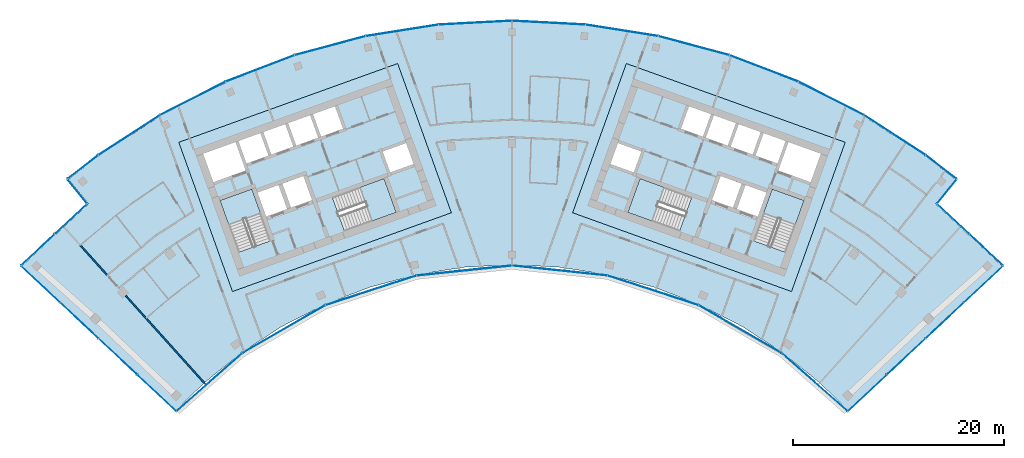
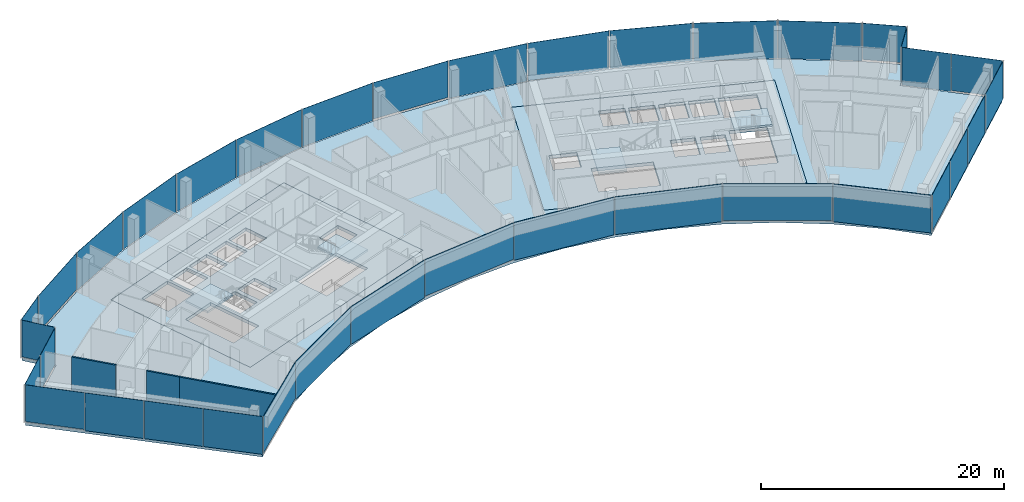
# One storey, part 11 of 18: 36 plates, 7 slabs, 3 walls, 12 elements without a shape of their own.
"""IFC4 building model written with IfcOpenShell, lengths in metres."""

from ifc_helpers import new_model, si_unit, direction, frame, frame_2d, origin, origin_2d, place, context, subcontext, project, spatial, polyline, rectangle, outline, extrude, material, layer, layer_set, type_object, element, aggregate, save


model = new_model("IFC4")

# Units and contexts
model_context = context("Model", 3, precision=1e-05, world=origin(), true_north=direction((0.0, 1.0)))
body_context = subcontext(model_context, "Body", "Model", "MODEL_VIEW")
ifc_project = project(units=[si_unit("LENGTHUNIT", "METRE"), si_unit("AREAUNIT", "SQUARE_METRE"), si_unit("VOLUMEUNIT", "CUBIC_METRE"), si_unit("PLANEANGLEUNIT", "RADIAN"), si_unit("MASSUNIT", "GRAM", prefix="KILO")], contexts=[model_context])

# Site, building, storey
site_placement = place(None, origin())
site = spatial("IfcSite", under=ifc_project, at=site_placement, CompositionType="ELEMENT")
building_placement = place(site_placement, origin())
building = spatial("IfcBuilding", under=site, at=building_placement, Name="Stone Belt Terrace Tower", CompositionType="ELEMENT")
storey_placement = place(building_placement, frame((0.0, 0.0, 277.0)))
storey = spatial("IfcBuildingStorey", under=building, at=storey_placement, Name="L67", CompositionType="ELEMENT", Elevation=277.0)

# Curtain wall, plates
ifc_material_1 = material(Name="Aluminium 6063-T6 anodised frame", Category="aluminium")
ifc_layer_1 = layer(ifc_material_1, 0.14990234375)
ifc_layer_set_1 = layer_set([ifc_layer_1], Name="CW-A unitised convex-face curtain wall")
curtain_wall_type_1 = type_object("IfcCurtainWallType", Name="CW-A unitised convex-face curtain wall", PredefinedType="NOTDEFINED", material=ifc_layer_set_1)
curtain_wall_1_placement = place(storey_placement, origin())
curtain_wall_1 = element("IfcCurtainWall", 1, at=curtain_wall_1_placement, inside=storey, type_object=curtain_wall_type_1, Name="CW-A convex face L67", PredefinedType="NOTDEFINED")
ifc_material_2 = material(Name="Clear double glazed unit")
ifc_layer_2 = layer(ifc_material_2, 0.031982421875)
ifc_layer_set_2 = layer_set([ifc_layer_2], Name="CW-A glass panel 32")
plate_type_1 = type_object("IfcPlateType", Name="CW-A glass panel 32", PredefinedType="CURTAIN_PANEL", material=ifc_layer_set_2)
plate_1_placement = place(storey_placement, frame((40.583251953125, 52.744140625, 0.14013671875), z_axis=(0.0, 0.0, 1.0), x_axis=(-0.792693871824, 0.60961990254, 0.0)))
plate_1 = element("IfcPlate", 2, at=plate_1_placement, type_object=plate_type_1, Name="CW-A panel 1.1", PredefinedType="CURTAIN_PANEL", context=body_context, shape_type="SweptSolid", body=[
    extrude(rectangle(XDim=3.597900390625, YDim=0.031982421875, at=origin_2d()), origin(), (0.0, 0.0, 1.0), 3.659912109375),
])
plate_2_placement = place(storey_placement, frame((36.209716796875, 55.758056640625, 0.0), z_axis=(0.0, 0.0, 1.0), x_axis=(-0.838670567945, 0.544639035015, 0.0)))
plate_2 = element("IfcPlate", 3, at=plate_2_placement, type_object=plate_type_1, Name="CW-A panel 2.1", PredefinedType="CURTAIN_PANEL", context=body_context, shape_type="SweptSolid", body=[
    extrude(rectangle(XDim=6.900634765625, YDim=0.031982421875, at=origin_2d()), origin(), (0.0, 0.0, 1.0), 3.800048828125),
])
plate_3_placement = place(storey_placement, frame((30.18310546875, 59.237548828125, 0.0), z_axis=(0.0, 0.0, 1.0), x_axis=(-0.891006524188, 0.45399049974, 0.0)))
plate_3 = element("IfcPlate", 4, at=plate_3_placement, type_object=plate_type_1, Name="CW-A panel 3.1", PredefinedType="CURTAIN_PANEL", context=body_context, shape_type="SweptSolid", body=[
    extrude(rectangle(XDim=6.90087890625, YDim=0.031982421875, at=origin_2d()), origin(), (0.0, 0.0, 1.0), 3.800048828125),
])
plate_4_placement = place(storey_placement, frame((23.82568359375, 62.068115234375, 0.0), z_axis=(0.0, 0.0, 1.0), x_axis=(-0.933580426497, 0.358367949545, 0.0)))
plate_4 = element("IfcPlate", 5, at=plate_4_placement, type_object=plate_type_1, Name="CW-A panel 4.1", PredefinedType="CURTAIN_PANEL", context=body_context, shape_type="SweptSolid", body=[
    extrude(rectangle(XDim=6.90087890625, YDim=0.031982421875, at=origin_2d()), origin(), (0.0, 0.0, 1.0), 3.800048828125),
])
plate_5_placement = place(storey_placement, frame((17.207275390625, 64.218505859375, 0.0), z_axis=(0.0, 0.0, 1.0), x_axis=(-0.965925826289, 0.258819045103, 0.0)))
plate_5 = element("IfcPlate", 6, at=plate_5_placement, type_object=plate_type_1, Name="CW-A panel 5.1", PredefinedType="CURTAIN_PANEL", context=body_context, shape_type="SweptSolid", body=[
    extrude(rectangle(XDim=6.90087890625, YDim=0.031982421875, at=origin_2d()), origin(), (0.0, 0.0, 1.0), 3.800048828125),
])
plate_6_placement = place(storey_placement, frame((10.400390625, 65.665283203125, 0.0), z_axis=(0.0, 0.0, 1.0), x_axis=(-0.987688340595, 0.15643446504, 0.0)))
plate_6 = element("IfcPlate", 7, at=plate_6_placement, type_object=plate_type_1, Name="CW-A panel 6.1", PredefinedType="CURTAIN_PANEL", context=body_context, shape_type="SweptSolid", body=[
    extrude(rectangle(XDim=6.90087890625, YDim=0.031982421875, at=origin_2d()), origin(), (0.0, 0.0, 1.0), 3.800048828125),
])
plate_7_placement = place(storey_placement, frame((3.4794921875, 66.392822265625, 0.14013671875), z_axis=(0.0, 0.0, 1.0), x_axis=(-0.998629534755, 0.052335956243, 0.0)))
plate_7 = element("IfcPlate", 8, at=plate_7_placement, type_object=plate_type_1, Name="CW-A panel 7.1", PredefinedType="CURTAIN_PANEL", context=body_context, shape_type="SweptSolid", body=[
    extrude(rectangle(XDim=6.90087890625, YDim=0.031982421875, at=origin_2d()), origin(), (0.0, 0.0, 1.0), 3.659912109375),
])
plate_8_placement = place(storey_placement, frame((-3.4794921875, 66.392822265625, 0.0), z_axis=(0.0, 0.0, 1.0), x_axis=(-0.998629534755, -0.052335956243, 0.0)))
plate_8 = element("IfcPlate", 9, at=plate_8_placement, type_object=plate_type_1, Name="CW-A panel 8.1", PredefinedType="CURTAIN_PANEL", context=body_context, shape_type="SweptSolid", body=[
    extrude(rectangle(XDim=6.90087890625, YDim=0.031982421875, at=origin_2d()), origin(), (0.0, 0.0, 1.0), 3.800048828125),
])
plate_9_placement = place(storey_placement, frame((-10.400390625, 65.665283203125, 0.0), z_axis=(0.0, 0.0, 1.0), x_axis=(-0.987688340595, -0.15643446504, 0.0)))
plate_9 = element("IfcPlate", 10, at=plate_9_placement, type_object=plate_type_1, Name="CW-A panel 9.1", PredefinedType="CURTAIN_PANEL", context=body_context, shape_type="SweptSolid", body=[
    extrude(rectangle(XDim=6.90087890625, YDim=0.031982421875, at=origin_2d()), origin(), (0.0, 0.0, 1.0), 3.800048828125),
])
plate_10_placement = place(storey_placement, frame((-17.207275390625, 64.218505859375, 0.0), z_axis=(0.0, 0.0, 1.0), x_axis=(-0.965925826289, -0.258819045103, 0.0)))
plate_10 = element("IfcPlate", 11, at=plate_10_placement, type_object=plate_type_1, Name="CW-A panel 10.1", PredefinedType="CURTAIN_PANEL", context=body_context, shape_type="SweptSolid", body=[
    extrude(rectangle(XDim=6.90087890625, YDim=0.031982421875, at=origin_2d()), origin(), (0.0, 0.0, 1.0), 3.800048828125),
])
plate_11_placement = place(storey_placement, frame((-23.82568359375, 62.068115234375, 0.0), z_axis=(0.0, 0.0, 1.0), x_axis=(-0.933580426497, -0.358367949545, 0.0)))
plate_11 = element("IfcPlate", 12, at=plate_11_placement, type_object=plate_type_1, Name="CW-A panel 11.1", PredefinedType="CURTAIN_PANEL", context=body_context, shape_type="SweptSolid", body=[
    extrude(rectangle(XDim=6.90087890625, YDim=0.031982421875, at=origin_2d()), origin(), (0.0, 0.0, 1.0), 3.800048828125),
])
plate_12_placement = place(storey_placement, frame((-30.18310546875, 59.237548828125, 0.0), z_axis=(0.0, 0.0, 1.0), x_axis=(-0.891006524188, -0.45399049974, 0.0)))
plate_12 = element("IfcPlate", 13, at=plate_12_placement, type_object=plate_type_1, Name="CW-A panel 12.1", PredefinedType="CURTAIN_PANEL", context=body_context, shape_type="SweptSolid", body=[
    extrude(rectangle(XDim=6.90087890625, YDim=0.031982421875, at=origin_2d()), origin(), (0.0, 0.0, 1.0), 3.800048828125),
])
plate_13_placement = place(storey_placement, frame((-36.209716796875, 55.758056640625, 0.14013671875), z_axis=(0.0, 0.0, 1.0), x_axis=(-0.838670567945, -0.544639035015, 0.0)))
plate_13 = element("IfcPlate", 14, at=plate_13_placement, type_object=plate_type_1, Name="CW-A panel 13.1", PredefinedType="CURTAIN_PANEL", context=body_context, shape_type="SweptSolid", body=[
    extrude(rectangle(XDim=6.900634765625, YDim=0.031982421875, at=origin_2d()), origin(), (0.0, 0.0, 1.0), 3.659912109375),
])
plate_14_placement = place(storey_placement, frame((-40.583251953125, 52.744140625, 0.0), z_axis=(0.0, 0.0, 1.0), x_axis=(-0.792693871824, -0.60961990254, 0.0)))
plate_14 = element("IfcPlate", 15, at=plate_14_placement, type_object=plate_type_1, Name="CW-A panel 14.1", PredefinedType="CURTAIN_PANEL", context=body_context, shape_type="SweptSolid", body=[
    extrude(rectangle(XDim=3.597900390625, YDim=0.031982421875, at=origin_2d()), origin(), (0.0, 0.0, 1.0), 3.800048828125),
])
aggregate(curtain_wall_1, [plate_1, plate_2, plate_3, plate_4, plate_5, plate_6, plate_7, plate_8, plate_9, plate_10, plate_11, plate_12, plate_13, plate_14])

ifc_layer_3 = layer(ifc_material_1, 0.14990234375)
ifc_layer_set_3 = layer_set([ifc_layer_3], Name="CW-B unitised concave-face curtain wall")
curtain_wall_type_2 = type_object("IfcCurtainWallType", Name="CW-B unitised concave-face curtain wall", PredefinedType="NOTDEFINED", material=ifc_layer_set_3)
curtain_wall_2_placement = place(storey_placement, origin())
curtain_wall_2 = element("IfcCurtainWall", 16, at=curtain_wall_2_placement, inside=storey, type_object=curtain_wall_type_2, Name="CW-B concave face L67", PredefinedType="NOTDEFINED")
ifc_layer_4 = layer(ifc_material_2, 0.030029296875)
ifc_layer_set_4 = layer_set([ifc_layer_4], Name="CW-B glass panel 30")
plate_type_2 = type_object("IfcPlateType", Name="CW-B glass panel 30", PredefinedType="CURTAIN_PANEL", material=ifc_layer_set_4)
plate_15_placement = place(storey_placement, frame((-28.624755859375, 32.39404296875, 0.1201171875), z_axis=(0.0, 0.0, 1.0), x_axis=(0.749658646805, 0.661824684694, 0.0)))
plate_15 = element("IfcPlate", 17, at=plate_15_placement, type_object=plate_type_2, Name="CW-B panel 1.1", PredefinedType="CURTAIN_PANEL", context=body_context, shape_type="SweptSolid", body=[
    extrude(rectangle(XDim=8.2060546875, YDim=0.030029296875, at=origin_2d()), origin(), (0.0, 0.0, 1.0), 3.679931640625),
])
plate_16_placement = place(storey_placement, frame((-21.59375, 37.400634765625, 0.0), z_axis=(0.0, 0.0, 1.0), x_axis=(0.866025403784, 0.5, 0.0)))
plate_16 = element("IfcPlate", 18, at=plate_16_placement, type_object=plate_type_2, Name="CW-B panel 2.1", PredefinedType="CURTAIN_PANEL", context=body_context, shape_type="SweptSolid", body=[
    extrude(rectangle(XDim=9.013427734375, YDim=0.030029296875, at=origin_2d()), origin(), (0.0, 0.0, 1.0), 3.800048828125),
])
plate_17_placement = place(storey_placement, frame((-13.345458984375, 41.072998046875, 0.0), z_axis=(0.0, 0.0, 1.0), x_axis=(0.951056516295, 0.309016994375, 0.0)))
plate_17 = element("IfcPlate", 19, at=plate_17_placement, type_object=plate_type_2, Name="CW-B panel 3.1", PredefinedType="CURTAIN_PANEL", context=body_context, shape_type="SweptSolid", body=[
    extrude(rectangle(XDim=9.0126953125, YDim=0.030029296875, at=origin_2d()), origin(), (0.0, 0.0, 1.0), 3.800048828125),
])
plate_18_placement = place(storey_placement, frame((-4.51416015625, 42.9501953125, 0.1201171875), z_axis=(0.0, 0.0, 1.0), x_axis=(0.994521895368, 0.104528463268, 0.0)))
plate_18 = element("IfcPlate", 20, at=plate_18_placement, type_object=plate_type_2, Name="CW-B panel 4.1", PredefinedType="CURTAIN_PANEL", context=body_context, shape_type="SweptSolid", body=[
    extrude(rectangle(XDim=9.0126953125, YDim=0.030029296875, at=origin_2d()), origin(), (0.0, 0.0, 1.0), 3.679931640625),
])
plate_19_placement = place(storey_placement, frame((4.51416015625, 42.9501953125, 0.0), z_axis=(0.0, 0.0, 1.0), x_axis=(0.994521895368, -0.104528463268, 0.0)))
plate_19 = element("IfcPlate", 21, at=plate_19_placement, type_object=plate_type_2, Name="CW-B panel 5.1", PredefinedType="CURTAIN_PANEL", context=body_context, shape_type="SweptSolid", body=[
    extrude(rectangle(XDim=9.0126953125, YDim=0.030029296875, at=origin_2d()), origin(), (0.0, 0.0, 1.0), 3.800048828125),
])
plate_20_placement = place(storey_placement, frame((13.345458984375, 41.072998046875, 0.0), z_axis=(0.0, 0.0, 1.0), x_axis=(0.951056516295, -0.309016994375, 0.0)))
plate_20 = element("IfcPlate", 22, at=plate_20_placement, type_object=plate_type_2, Name="CW-B panel 6.1", PredefinedType="CURTAIN_PANEL", context=body_context, shape_type="SweptSolid", body=[
    extrude(rectangle(XDim=9.0126953125, YDim=0.030029296875, at=origin_2d()), origin(), (0.0, 0.0, 1.0), 3.800048828125),
])
plate_21_placement = place(storey_placement, frame((21.59375, 37.400634765625, 0.1201171875), z_axis=(0.0, 0.0, 1.0), x_axis=(0.866025403784, -0.5, 0.0)))
plate_21 = element("IfcPlate", 23, at=plate_21_placement, type_object=plate_type_2, Name="CW-B panel 7.1", PredefinedType="CURTAIN_PANEL", context=body_context, shape_type="SweptSolid", body=[
    extrude(rectangle(XDim=9.013427734375, YDim=0.030029296875, at=origin_2d()), origin(), (0.0, 0.0, 1.0), 3.679931640625),
])
plate_22_placement = place(storey_placement, frame((28.624755859375, 32.39404296875, 0.0), z_axis=(0.0, 0.0, 1.0), x_axis=(0.749658646805, -0.661824684694, 0.0)))
plate_22 = element("IfcPlate", 24, at=plate_22_placement, type_object=plate_type_2, Name="CW-B panel 8.1", PredefinedType="CURTAIN_PANEL", context=body_context, shape_type="SweptSolid", body=[
    extrude(rectangle(XDim=8.2060546875, YDim=0.030029296875, at=origin_2d()), origin(), (0.0, 0.0, 1.0), 3.800048828125),
])
aggregate(curtain_wall_2, [plate_15, plate_16, plate_17, plate_18, plate_19, plate_20, plate_21, plate_22])

ifc_layer_5 = layer(ifc_material_1, 0.14990234375)
ifc_layer_set_5 = layer_set([ifc_layer_5], Name="CW-C stick curtain wall, horn ends and notches")
curtain_wall_type_3 = type_object("IfcCurtainWallType", Name="CW-C stick curtain wall, horn ends and notches", PredefinedType="NOTDEFINED", material=ifc_layer_set_5)
curtain_wall_3_placement = place(storey_placement, origin())
curtain_wall_3 = element("IfcCurtainWall", 25, at=curtain_wall_3_placement, inside=storey, type_object=curtain_wall_type_3, Name="CW-C end face L67", PredefinedType="NOTDEFINED")
ifc_layer_6 = layer(ifc_material_2, 0.028076171875)
ifc_layer_set_6 = layer_set([ifc_layer_6], Name="CW-C glass panel 28")
plate_type_3 = type_object("IfcPlateType", Name="CW-C glass panel 28", PredefinedType="CURTAIN_PANEL", material=ifc_layer_set_6)
plate_23_placement = place(storey_placement, frame((33.617431640625, 31.3798828125, 0.1201171875), z_axis=(0.0, 0.0, 1.0), x_axis=(0.729904219708, 0.683549434973, 0.0)))
plate_23 = element("IfcPlate", 26, at=plate_23_placement, type_object=plate_type_3, Name="CW-C panel 1.1", PredefinedType="CURTAIN_PANEL", context=body_context, shape_type="SweptSolid", body=[
    extrude(rectangle(XDim=4.965576171875, YDim=0.028076171875, at=origin_2d()), origin(), (0.0, 0.0, 1.0), 3.679931640625),
])
plate_24_placement = place(storey_placement, frame((37.2763671875, 34.806396484375, 0.0), z_axis=(0.0, 0.0, 1.0), x_axis=(0.729904219708, 0.683549434973, 0.0)))
plate_24 = element("IfcPlate", 27, at=plate_24_placement, type_object=plate_type_3, Name="CW-C panel 2.1", PredefinedType="CURTAIN_PANEL", context=body_context, shape_type="SweptSolid", body=[
    extrude(rectangle(XDim=4.93994140625, YDim=0.028076171875, at=origin_2d()), origin(), (0.0, 0.0, 1.0), 3.800048828125),
])
plate_25_placement = place(storey_placement, frame((40.92578125, 38.22412109375, 0.0), z_axis=(0.0, 0.0, 1.0), x_axis=(0.729904219708, 0.683549434973, 0.0)))
plate_25 = element("IfcPlate", 28, at=plate_25_placement, type_object=plate_type_3, Name="CW-C panel 3.1", PredefinedType="CURTAIN_PANEL", context=body_context, shape_type="SweptSolid", body=[
    extrude(rectangle(XDim=4.93994140625, YDim=0.028076171875, at=origin_2d()), origin(), (0.0, 0.0, 1.0), 3.800048828125),
])
plate_26_placement = place(storey_placement, frame((44.588134765625, 41.65380859375, 0.0), z_axis=(0.0, 0.0, 1.0), x_axis=(0.729904219708, 0.683549434973, 0.0)))
plate_26 = element("IfcPlate", 29, at=plate_26_placement, type_object=plate_type_3, Name="CW-C panel 4.1", PredefinedType="CURTAIN_PANEL", context=body_context, shape_type="SweptSolid", body=[
    extrude(rectangle(XDim=4.974853515625, YDim=0.028076171875, at=origin_2d()), origin(), (0.0, 0.0, 1.0), 3.800048828125),
])
aggregate(curtain_wall_3, [plate_23, plate_24, plate_25, plate_26])

curtain_wall_4_placement = place(storey_placement, origin())
curtain_wall_4 = element("IfcCurtainWall", 30, at=curtain_wall_4_placement, inside=storey, type_object=curtain_wall_type_3, Name="CW-C notch face L67", PredefinedType="NOTDEFINED")
plate_27_placement = place(storey_placement, frame((44.8427734375, 44.91259765625, 0.1201171875), z_axis=(0.0, 0.0, 1.0), x_axis=(-0.731339333871, 0.682013767261, 0.0)))
plate_27 = element("IfcPlate", 31, at=plate_27_placement, type_object=plate_type_3, Name="CW-C panel 1.1", PredefinedType="CURTAIN_PANEL", context=body_context, shape_type="SweptSolid", body=[
    extrude(rectangle(XDim=4.268798828125, YDim=0.028076171875, at=origin_2d()), origin(), (0.0, 0.0, 1.0), 3.679931640625),
])
plate_28_placement = place(storey_placement, frame((41.731201171875, 47.814208984375, 0.0), z_axis=(0.0, 0.0, 1.0), x_axis=(-0.731339333871, 0.682013767261, 0.0)))
plate_28 = element("IfcPlate", 32, at=plate_28_placement, type_object=plate_type_3, Name="CW-C panel 2.1", PredefinedType="CURTAIN_PANEL", context=body_context, shape_type="SweptSolid", body=[
    extrude(rectangle(XDim=4.12060546875, YDim=0.028076171875, at=origin_2d()), origin(), (0.0, 0.0, 1.0), 3.800048828125),
])
aggregate(curtain_wall_4, [plate_27, plate_28])

# Curtain wall, plate
curtain_wall_5_placement = place(storey_placement, origin())
curtain_wall_5 = element("IfcCurtainWall", 33, at=curtain_wall_5_placement, inside=storey, type_object=curtain_wall_type_3, Name="CW-C notch face L67", PredefinedType="NOTDEFINED")
plate_29_placement = place(storey_placement, frame((41.119140625, 50.43505859375, 0.1201171875), z_axis=(0.0, 0.0, 1.0), x_axis=(0.631001485542, 0.775781622136, 0.0)))
plate_29 = element("IfcPlate", 34, at=plate_29_placement, type_object=plate_type_3, Name="CW-C panel 1.1", PredefinedType="CURTAIN_PANEL", context=body_context, shape_type="SweptSolid", body=[
    extrude(rectangle(XDim=2.859130859375, YDim=0.028076171875, at=origin_2d()), origin(), (0.0, 0.0, 1.0), 3.679931640625),
])
aggregate(curtain_wall_5, [plate_29])

curtain_wall_6_placement = place(storey_placement, origin())
curtain_wall_6 = element("IfcCurtainWall", 35, at=curtain_wall_6_placement, inside=storey, type_object=curtain_wall_type_3, Name="CW-C notch face L67", PredefinedType="NOTDEFINED")
plate_30_placement = place(storey_placement, frame((-41.119140625, 50.43505859375, 0.1201171875), z_axis=(0.0, 0.0, 1.0), x_axis=(0.631001485542, -0.775781622136, 0.0)))
plate_30 = element("IfcPlate", 36, at=plate_30_placement, type_object=plate_type_3, Name="CW-C panel 1.1", PredefinedType="CURTAIN_PANEL", context=body_context, shape_type="SweptSolid", body=[
    extrude(rectangle(XDim=2.859130859375, YDim=0.028076171875, at=origin_2d()), origin(), (0.0, 0.0, 1.0), 3.679931640625),
])
aggregate(curtain_wall_6, [plate_30])

# Curtain wall, plates
curtain_wall_7_placement = place(storey_placement, origin())
curtain_wall_7 = element("IfcCurtainWall", 37, at=curtain_wall_7_placement, inside=storey, type_object=curtain_wall_type_3, Name="CW-C notch face L67", PredefinedType="NOTDEFINED")
plate_31_placement = place(storey_placement, frame((-41.731201171875, 47.814208984375, 0.1201171875), z_axis=(0.0, 0.0, 1.0), x_axis=(-0.731339333871, -0.682013767261, 0.0)))
plate_31 = element("IfcPlate", 38, at=plate_31_placement, type_object=plate_type_3, Name="CW-C panel 1.1", PredefinedType="CURTAIN_PANEL", context=body_context, shape_type="SweptSolid", body=[
    extrude(rectangle(XDim=4.12060546875, YDim=0.028076171875, at=origin_2d()), origin(), (0.0, 0.0, 1.0), 3.679931640625),
])
plate_32_placement = place(storey_placement, frame((-44.8427734375, 44.91259765625, 0.0), z_axis=(0.0, 0.0, 1.0), x_axis=(-0.731339333871, -0.682013767261, 0.0)))
plate_32 = element("IfcPlate", 39, at=plate_32_placement, type_object=plate_type_3, Name="CW-C panel 2.1", PredefinedType="CURTAIN_PANEL", context=body_context, shape_type="SweptSolid", body=[
    extrude(rectangle(XDim=4.268798828125, YDim=0.028076171875, at=origin_2d()), origin(), (0.0, 0.0, 1.0), 3.800048828125),
])
aggregate(curtain_wall_7, [plate_31, plate_32])

curtain_wall_8_placement = place(storey_placement, origin())
curtain_wall_8 = element("IfcCurtainWall", 40, at=curtain_wall_8_placement, inside=storey, type_object=curtain_wall_type_3, Name="CW-C end face L67", PredefinedType="NOTDEFINED")
plate_33_placement = place(storey_placement, frame((-44.588134765625, 41.65380859375, 0.1201171875), z_axis=(0.0, 0.0, 1.0), x_axis=(0.729904219708, -0.683549434973, 0.0)))
plate_33 = element("IfcPlate", 41, at=plate_33_placement, type_object=plate_type_3, Name="CW-C panel 1.1", PredefinedType="CURTAIN_PANEL", context=body_context, shape_type="SweptSolid", body=[
    extrude(rectangle(XDim=4.974853515625, YDim=0.028076171875, at=origin_2d()), origin(), (0.0, 0.0, 1.0), 3.679931640625),
])
plate_34_placement = place(storey_placement, frame((-40.92578125, 38.22412109375, 0.0), z_axis=(0.0, 0.0, 1.0), x_axis=(0.729904219708, -0.683549434973, 0.0)))
plate_34 = element("IfcPlate", 42, at=plate_34_placement, type_object=plate_type_3, Name="CW-C panel 2.1", PredefinedType="CURTAIN_PANEL", context=body_context, shape_type="SweptSolid", body=[
    extrude(rectangle(XDim=4.93994140625, YDim=0.028076171875, at=origin_2d()), origin(), (0.0, 0.0, 1.0), 3.800048828125),
])
plate_35_placement = place(storey_placement, frame((-37.2763671875, 34.806396484375, 0.0), z_axis=(0.0, 0.0, 1.0), x_axis=(0.729904219708, -0.683549434973, 0.0)))
plate_35 = element("IfcPlate", 43, at=plate_35_placement, type_object=plate_type_3, Name="CW-C panel 3.1", PredefinedType="CURTAIN_PANEL", context=body_context, shape_type="SweptSolid", body=[
    extrude(rectangle(XDim=4.93994140625, YDim=0.028076171875, at=origin_2d()), origin(), (0.0, 0.0, 1.0), 3.800048828125),
])
plate_36_placement = place(storey_placement, frame((-33.617431640625, 31.3798828125, 0.0), z_axis=(0.0, 0.0, 1.0), x_axis=(0.729904219708, -0.683549434973, 0.0)))
plate_36 = element("IfcPlate", 44, at=plate_36_placement, type_object=plate_type_3, Name="CW-C panel 4.1", PredefinedType="CURTAIN_PANEL", context=body_context, shape_type="SweptSolid", body=[
    extrude(rectangle(XDim=4.965576171875, YDim=0.028076171875, at=origin_2d()), origin(), (0.0, 0.0, 1.0), 3.800048828125),
])
aggregate(curtain_wall_8, [plate_33, plate_34, plate_35, plate_36])

# Slabs
ifc_material_3 = material(Name="Concrete B40", Category="concrete")
ifc_layer_7 = layer(ifc_material_3, 0.320068359375)
ifc_layer_set_7 = layer_set([ifc_layer_7], Name="Core floor slab 320")
slab_type_1 = type_object("IfcSlabType", Name="Core floor slab 320", PredefinedType="FLOOR", material=ifc_layer_set_7)
slab_1_placement = place(storey_placement, frame((0.0, 0.0, -0.320068359375)))
element("IfcSlab", 45, at=slab_1_placement, inside=storey, type_object=slab_type_1, Name="Core A floor L67", PredefinedType="FLOOR", context=body_context, shape_type="SweptSolid", body=[
    extrude(outline(polyline([(-26.43505859375, 40.968994140625), (-5.735107421875, 48.4189453125), (-10.81396484375, 62.531982421875), (-31.513916015625, 55.0830078125), (-26.43505859375, 40.968994140625)]), holes=[polyline([(-24.60791015625, 50.659912109375), (-22.847900390625, 45.76806640625), (-25.85888671875, 44.68408203125), (-27.618896484375, 49.575927734375), (-24.60791015625, 50.659912109375)]), polyline([(-10.955078125, 48.452880859375), (-15.846923828125, 46.69189453125), (-16.998046875, 49.89208984375), (-12.10595703125, 51.652099609375), (-10.955078125, 48.452880859375)]), polyline([(-22.0869140625, 51.035888671875), (-21.27392578125, 48.778076171875), (-23.25, 48.06689453125), (-24.06298828125, 50.324951171875), (-22.0869140625, 51.035888671875)]), polyline([(-18.922119140625, 49.6240234375), (-20.89794921875, 48.9130859375), (-21.7109375, 51.1708984375), (-19.735107421875, 51.883056640625), (-18.922119140625, 49.6240234375)]), polyline([(-29.2109375, 53.9990234375), (-26.153076171875, 55.09912109375), (-25.18798828125, 52.41796875), (-28.24609375, 51.31689453125), (-29.2109375, 53.9990234375)]), polyline([(-10.01904296875, 55.007080078125), (-9.30810546875, 53.031005859375), (-11.51904296875, 52.235107421875), (-12.22998046875, 54.2109375), (-10.01904296875, 55.007080078125)]), polyline([(-25.87109375, 55.200927734375), (-23.801025390625, 55.946044921875), (-23.0390625, 53.8291015625), (-25.10888671875, 53.083984375), (-25.87109375, 55.200927734375)]), polyline([(-23.51806640625, 56.047119140625), (-21.447998046875, 56.7919921875), (-20.68603515625, 54.675048828125), (-22.756103515625, 53.929931640625), (-23.51806640625, 56.047119140625)]), polyline([(-19.095947265625, 57.638916015625), (-18.333984375, 55.52197265625), (-20.404052734375, 54.777099609375), (-21.166015625, 56.89404296875), (-19.095947265625, 57.638916015625)]), polyline([(-16.743896484375, 58.485107421875), (-15.98193359375, 56.367919921875), (-18.052001953125, 55.623046875), (-18.81396484375, 57.739990234375), (-16.743896484375, 58.485107421875)])]), origin(), (0.0, 0.0, 1.0), 0.320068359375),
])
slab_2_placement = place(storey_placement, frame((0.0, 0.0, -0.320068359375)))
element("IfcSlab", 46, at=slab_2_placement, inside=storey, type_object=slab_type_1, Name="Core B floor L67", PredefinedType="FLOOR", context=body_context, shape_type="SweptSolid", body=[
    extrude(outline(polyline([(26.43505859375, 40.968994140625), (31.513916015625, 55.0830078125), (10.81396484375, 62.531982421875), (5.735107421875, 48.4189453125), (26.43505859375, 40.968994140625)]), holes=[polyline([(27.618896484375, 49.575927734375), (25.85888671875, 44.68408203125), (22.847900390625, 45.76806640625), (24.60791015625, 50.659912109375), (27.618896484375, 49.575927734375)]), polyline([(12.10595703125, 51.652099609375), (16.998046875, 49.89208984375), (15.846923828125, 46.69189453125), (10.955078125, 48.452880859375), (12.10595703125, 51.652099609375)]), polyline([(23.25, 48.06689453125), (21.27392578125, 48.778076171875), (22.0869140625, 51.035888671875), (24.06298828125, 50.324951171875), (23.25, 48.06689453125)]), polyline([(18.922119140625, 49.6240234375), (19.735107421875, 51.883056640625), (21.7109375, 51.1708984375), (20.89794921875, 48.9130859375), (18.922119140625, 49.6240234375)]), polyline([(29.2109375, 53.9990234375), (28.24609375, 51.31689453125), (25.18798828125, 52.41796875), (26.153076171875, 55.09912109375), (29.2109375, 53.9990234375)]), polyline([(11.51904296875, 52.235107421875), (9.30810546875, 53.031005859375), (10.01904296875, 55.007080078125), (12.22998046875, 54.2109375), (11.51904296875, 52.235107421875)]), polyline([(23.0390625, 53.8291015625), (23.801025390625, 55.946044921875), (25.87109375, 55.200927734375), (25.10888671875, 53.083984375), (23.0390625, 53.8291015625)]), polyline([(20.68603515625, 54.675048828125), (21.447998046875, 56.7919921875), (23.51806640625, 56.047119140625), (22.756103515625, 53.929931640625), (20.68603515625, 54.675048828125)]), polyline([(19.095947265625, 57.638916015625), (21.166015625, 56.89404296875), (20.404052734375, 54.777099609375), (18.333984375, 55.52197265625), (19.095947265625, 57.638916015625)]), polyline([(16.743896484375, 58.485107421875), (18.81396484375, 57.739990234375), (18.052001953125, 55.623046875), (15.98193359375, 56.367919921875), (16.743896484375, 58.485107421875)])]), origin(), (0.0, 0.0, 1.0), 0.320068359375),
])
ifc_layer_8 = layer(ifc_material_3, 0.320068359375)
ifc_layer_set_8 = layer_set([ifc_layer_8], Name="Floor slab 320 B40")
slab_type_2 = type_object("IfcSlabType", Name="Floor slab 320 B40", PredefinedType="FLOOR", material=ifc_layer_set_8)
slab_3_placement = place(storey_placement, frame((0.0, 0.0, -0.320068359375)))
element("IfcSlab", 47, at=slab_3_placement, inside=storey, type_object=slab_type_2, Name="Floor slab L67", PredefinedType="FLOOR", context=body_context, shape_type="SweptSolid", body=[
    extrude(outline(polyline([(-40.068603515625, 49.26220703125), (-41.961669921875, 51.589599609375), (-39.087646484375, 53.799560546875), (-33.25, 57.5908203125), (-27.048095703125, 60.750732421875), (-20.549560546875, 63.245361328125), (-13.826171875, 65.046875), (-6.951171875, 66.1357421875), (0.0, 66.5), (6.951171875, 66.1357421875), (13.826171875, 65.046875), (20.549560546875, 63.245361328125), (27.048095703125, 60.750732421875), (33.25, 57.5908203125), (39.087646484375, 53.799560546875), (41.961669921875, 51.589599609375), (40.068603515625, 49.26220703125), (46.348876953125, 43.405517578125), (31.750732421875, 29.734375), (29.107177734375, 32.326904296875), (25.568603515625, 35.192138671875), (21.75, 37.672119140625), (17.693115234375, 39.7392578125), (13.442138671875, 41.37109375), (9.044189453125, 42.54931640625), (4.547119140625, 43.26171875), (0.0, 43.5), (-4.547119140625, 43.26171875), (-9.044189453125, 42.54931640625), (-13.442138671875, 41.37109375), (-17.693115234375, 39.7392578125), (-21.75, 37.672119140625), (-25.568603515625, 35.192138671875), (-29.107177734375, 32.326904296875), (-31.750732421875, 29.734375), (-46.348876953125, 43.405517578125), (-40.068603515625, 49.26220703125)]), holes=[polyline([(-10.81396484375, 62.532470703125), (-31.51416015625, 55.082763671875), (-26.434814453125, 40.968994140625), (-5.734619140625, 48.418701171875), (-10.81396484375, 62.532470703125)]), polyline([(26.434814453125, 40.968994140625), (31.51416015625, 55.082763671875), (10.81396484375, 62.532470703125), (5.734619140625, 48.418701171875), (26.434814453125, 40.968994140625)])]), origin(), (0.0, 0.0, 1.0), 0.320068359375),
])

# Stair, slab
stair_type = type_object("IfcStairType", Name="Exit stair 1500", PredefinedType="HALF_TURN_STAIR", material=ifc_material_3)
stair_1_placement = place(storey_placement, origin())
stair_1 = element("IfcStair", 48, at=stair_1_placement, inside=storey, type_object=stair_type, Name="L67 Exit stair 1 core A", PredefinedType="HALF_TURN_STAIR")
ifc_layer_9 = layer(ifc_material_3, 0.199951171875)
ifc_layer_set_9 = layer_set([ifc_layer_9], Name="Stair landing 200")
slab_type_3 = type_object("IfcSlabType", Name="Stair landing 200", PredefinedType="LANDING", material=ifc_layer_set_9)
slab_4_placement = place(storey_placement, frame((0.0, 0.0, 1.699951171875)))
slab_4 = element("IfcSlab", 49, at=slab_4_placement, type_object=slab_type_3, Name="ST1A landing 1", PredefinedType="LANDING", context=body_context, shape_type="SweptSolid", body=[
    extrude(outline(polyline([(-23.79541015625, 48.40087890625), (-24.6083984375, 50.659912109375), (-27.619384765625, 49.576171875), (-26.806396484375, 47.3173828125), (-23.79541015625, 48.40087890625)])), origin(), (0.0, 0.0, 1.0), 0.199951171875),
])
aggregate(stair_1, [slab_4])

stair_2_placement = place(storey_placement, origin())
stair_2 = element("IfcStair", 50, at=stair_2_placement, inside=storey, type_object=stair_type, Name="L67 Exit stair 2 core A", PredefinedType="HALF_TURN_STAIR")
slab_5_placement = place(storey_placement, frame((0.0, 0.0, 1.699951171875)))
slab_5 = element("IfcSlab", 51, at=slab_5_placement, type_object=slab_type_3, Name="ST2A landing 1", PredefinedType="LANDING", context=body_context, shape_type="SweptSolid", body=[
    extrude(outline(polyline([(-13.213623046875, 47.64013671875), (-10.95458984375, 48.453125), (-12.10595703125, 51.652099609375), (-14.36474609375, 50.839111328125), (-13.213623046875, 47.64013671875)])), origin(), (0.0, 0.0, 1.0), 0.199951171875),
])
aggregate(stair_2, [slab_5])

stair_3_placement = place(storey_placement, origin())
stair_3 = element("IfcStair", 52, at=stair_3_placement, inside=storey, type_object=stair_type, Name="L67 Exit stair 1 core B", PredefinedType="HALF_TURN_STAIR")
slab_6_placement = place(storey_placement, frame((0.0, 0.0, 1.699951171875)))
slab_6 = element("IfcSlab", 53, at=slab_6_placement, type_object=slab_type_3, Name="ST1B landing 1", PredefinedType="LANDING", context=body_context, shape_type="SweptSolid", body=[
    extrude(outline(polyline([(26.806396484375, 47.3173828125), (27.619384765625, 49.576171875), (24.6083984375, 50.659912109375), (23.79541015625, 48.40087890625), (26.806396484375, 47.3173828125)])), origin(), (0.0, 0.0, 1.0), 0.199951171875),
])
aggregate(stair_3, [slab_6])

stair_4_placement = place(storey_placement, origin())
stair_4 = element("IfcStair", 54, at=stair_4_placement, inside=storey, type_object=stair_type, Name="L67 Exit stair 2 core B", PredefinedType="HALF_TURN_STAIR")
slab_7_placement = place(storey_placement, frame((0.0, 0.0, 1.699951171875)))
slab_7 = element("IfcSlab", 55, at=slab_7_placement, type_object=slab_type_3, Name="ST2B landing 1", PredefinedType="LANDING", context=body_context, shape_type="SweptSolid", body=[
    extrude(outline(polyline([(14.36474609375, 50.839111328125), (12.10595703125, 51.652099609375), (10.95458984375, 48.453125), (13.213623046875, 47.64013671875), (14.36474609375, 50.839111328125)])), origin(), (0.0, 0.0, 1.0), 0.199951171875),
])
aggregate(stair_4, [slab_7])

# Walls
ifc_material_4 = material(Name="Gypsum board partition")
ifc_layer_10 = layer(ifc_material_4, 0.14990234375)
ifc_layer_set_10 = layer_set([ifc_layer_10], Name="PARTITION 150 EI 60")
wall_type = type_object("IfcWallType", Name="PARTITION 150 EI 60", PredefinedType="PARTITIONING", material=ifc_layer_set_10)
wall_1_placement = place(storey_placement, frame((-34.617919921875, 38.447021484375, 0.0), z_axis=(0.0, 0.0, 1.0), x_axis=(0.669076736043, -0.743193326993, 0.0)))
element("IfcWall", 56, at=wall_1_placement, inside=storey, type_object=wall_type, Name="L67/wall/i038", PredefinedType="PARTITIONING", context=body_context, shape_type="SweptSolid", body=[
    extrude(rectangle(XDim=8.429443359375, YDim=0.14990234375, at=frame_2d((4.21484375, 0.0))), origin(), (0.0, 0.0, 1.0), 3.47998046875),
])
wall_2_placement = place(storey_placement, frame((-36.514892578125, 40.552978515625, 0.0), z_axis=(0.0, 0.0, 1.0), x_axis=(0.66902634976, -0.7432386853, 0.0)))
element("IfcWall", 57, at=wall_2_placement, inside=storey, type_object=wall_type, Name="L67/wall/i039", PredefinedType="PARTITIONING", context=body_context, shape_type="SweptSolid", body=[
    extrude(rectangle(XDim=2.845703125, YDim=0.14990234375, at=frame_2d((1.4228515625, 0.0))), origin(), (0.0, 0.0, 1.0), 3.47998046875),
])
wall_3_placement = place(storey_placement, frame((-40.8359375, 45.35205078125, 0.0), z_axis=(0.0, 0.0, 1.0), x_axis=(0.669092192197, -0.743179411946, 0.0)))
element("IfcWall", 58, at=wall_3_placement, inside=storey, type_object=wall_type, Name="L67/wall/i041", PredefinedType="PARTITIONING", context=body_context, shape_type="SweptSolid", body=[
    extrude(rectangle(XDim=3.809326171875, YDim=0.14990234375, at=frame_2d((1.90478515625, 0.0))), origin(), (0.0, 0.0, 1.0), 3.47998046875),
])

save(model, "model.ifc")
